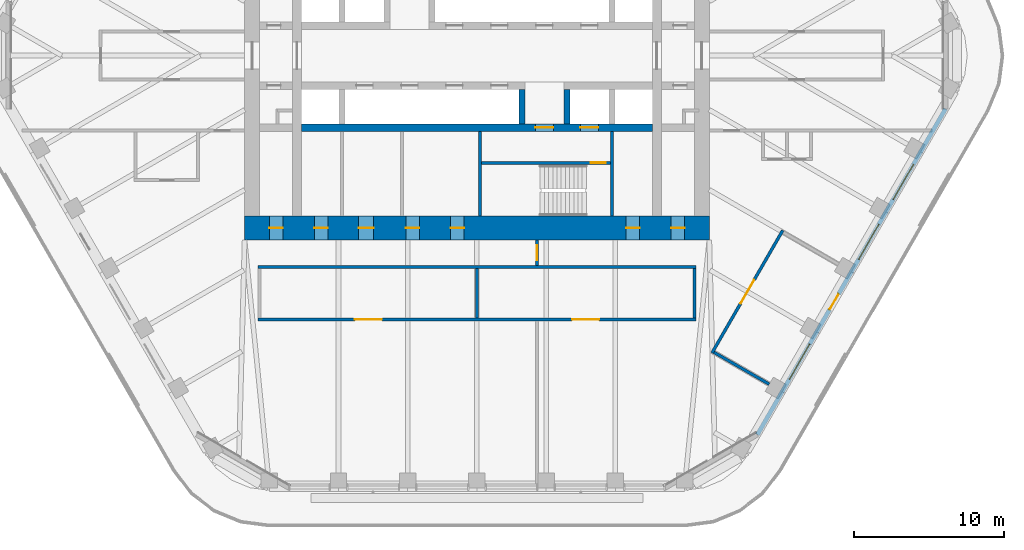
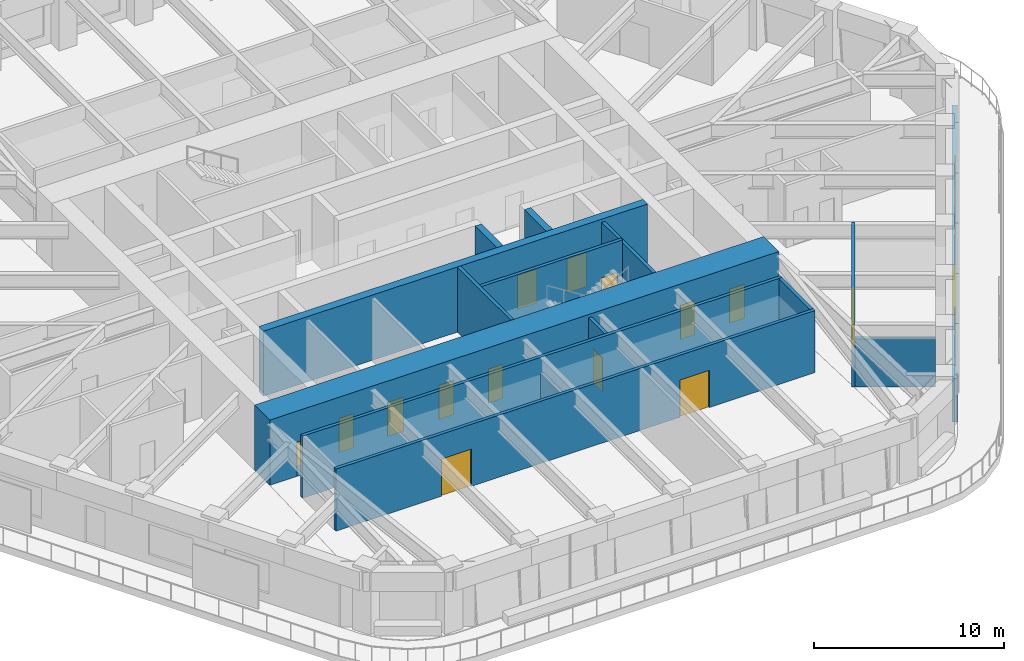
# One storey, part 15 of 20: 15 doors, 15 walls, 3 windows, 18 openings.
"""IFC4 building model written with IfcOpenShell, lengths in metres."""

from ifc_helpers import new_model, si_unit, direction, frame, frame_2d, origin, place, context, subcontext, project, spatial, rectangle, extrude, material, layer, layer_set, type_object, element, fill, save


model = new_model("IFC4")

# Units and contexts
model_context = context("Model", 3, precision=1e-05, world=origin(), true_north=direction((0.0, 1.0)))
body_context = subcontext(model_context, "Body", "Model", "MODEL_VIEW")
ifc_project = project(units=[si_unit("LENGTHUNIT", "METRE"), si_unit("AREAUNIT", "SQUARE_METRE"), si_unit("VOLUMEUNIT", "CUBIC_METRE"), si_unit("PLANEANGLEUNIT", "RADIAN"), si_unit("MASSUNIT", "GRAM", prefix="KILO")], contexts=[model_context])

# Site, building, storey
site_placement = place(None, origin())
site = spatial("IfcSite", under=ifc_project, at=site_placement, CompositionType="ELEMENT")
building_placement = place(site_placement, origin())
building = spatial("IfcBuilding", under=site, at=building_placement, Name="Tarfa Lantern Tower", CompositionType="ELEMENT")
storey_placement = place(building_placement, frame((0.0, 0.0, 286.89990234375)))
storey = spatial("IfcBuildingStorey", under=building, at=storey_placement, Name="L65", CompositionType="ELEMENT", Elevation=286.89990234375)

# Wall, openings, door, windows
ifc_material_1 = material(Name="Limestone cladding on blockwork", Category="masonry")
ifc_layer_1 = layer(ifc_material_1, 0.300048828125)
ifc_layer_set_1 = layer_set([ifc_layer_1], Name="EW1 STONE-CLAD WALL 300")
wall_type_1 = type_object("IfcWallType", Name="EW1 STONE-CLAD WALL 300", PredefinedType="SOLIDWALL", material=ifc_layer_set_1)
wall_1_placement = place(storey_placement, frame((18.70654296875, -25.299072265625, 0.0), z_axis=(0.0, 0.0, 1.0), x_axis=(0.500000442367, 0.866025148383, 0.0)))
wall_1 = element("IfcWall", 1, at=wall_1_placement, inside=storey, type_object=wall_type_1, Name="Stone wall SE", PredefinedType="SOLIDWALL", context=body_context, shape_type="SweptSolid", body=[
    extrude(rectangle(XDim=25.11279296875, YDim=0.300048828125, at=frame_2d((12.556396484375, 0.0))), origin(), (0.0, 0.0, 1.0), 2.800048828125),
])
opening_1_placement = place(wall_1_placement, frame((4.2783203125, 0.0, 0.60009765625)))
opening_1 = element("IfcOpeningElement", 2, at=opening_1_placement, cuts=wall_1, Name="Opening W14", PredefinedType="OPENING", context=body_context, shape_type="SweptSolid", body=[
    extrude(rectangle(XDim=2.699951171875, YDim=1.949951171875, at=frame_2d((1.35009765625, 0.97509765625))), frame((0.0, 0.159912109375, 0.0), z_axis=(0.0, -1.0, 0.0), x_axis=(1.0, 0.0, 0.0)), (0.0, 0.0, 1.0), 0.320068359375),
])
opening_2_placement = place(wall_1_placement, frame((9.64697265625, 0.0, 0.0)))
opening_2 = element("IfcOpeningElement", 3, at=opening_2_placement, cuts=wall_1, Name="Opening D47", PredefinedType="OPENING", context=body_context, shape_type="SweptSolid", body=[
    extrude(rectangle(XDim=1.199951171875, YDim=2.39990234375, at=frame_2d((0.60009765625, 1.199951171875))), frame((0.0, 0.159912109375, 0.0), z_axis=(0.0, -1.0, 0.0), x_axis=(1.0, 0.0, 0.0)), (0.0, 0.0, 1.0), 0.320068359375),
])
opening_3_placement = place(wall_1_placement, frame((13.515869140625, 0.0, 0.60009765625)))
opening_3 = element("IfcOpeningElement", 4, at=opening_3_placement, cuts=wall_1, Name="Opening W14", PredefinedType="OPENING", context=body_context, shape_type="SweptSolid", body=[
    extrude(rectangle(XDim=2.699951171875, YDim=1.949951171875, at=frame_2d((1.35009765625, 0.97509765625))), frame((0.0, 0.159912109375, 0.0), z_axis=(0.0, -1.0, 0.0), x_axis=(1.0, 0.0, 0.0)), (0.0, 0.0, 1.0), 0.320068359375),
])
opening_4_placement = place(wall_1_placement, frame((18.134521484375, 0.0, 0.60009765625)))
opening_4 = element("IfcOpeningElement", 5, at=opening_4_placement, cuts=wall_1, Name="Opening W14", PredefinedType="OPENING", context=body_context, shape_type="SweptSolid", body=[
    extrude(rectangle(XDim=2.699951171875, YDim=1.949951171875, at=frame_2d((1.35009765625, 0.97509765625))), frame((0.0, 0.159912109375, 0.0), z_axis=(0.0, -1.0, 0.0), x_axis=(1.0, 0.0, 0.0)), (0.0, 0.0, 1.0), 0.320068359375),
])
ifc_material_2 = material(Name="Aluminium framed glazed door", Category="aluminium")
door_type_1 = type_object("IfcDoorType", Name="BE3 BALCONY DOOR 1200x2400", OperationType="SINGLE_SWING_RIGHT", PredefinedType="DOOR", material=ifc_material_2)
door_1_placement = place(opening_2_placement, origin())
door_1 = element("IfcDoor", 6, at=door_1_placement, inside=storey, type_object=door_type_1, Name="Balcony door SE", OperationType="SINGLE_SWING_RIGHT", OverallHeight=2.39990234375, OverallWidth=1.199951171875, PredefinedType="DOOR", context=body_context, shape_type="SweptSolid", body=[
    extrude(rectangle(XDim=1.199951171875, YDim=2.39990234375, at=frame_2d((0.60009765625, 1.199951171875))), frame((0.0, 0.02490234375, 0.0), z_axis=(0.0, -1.0, 0.0), x_axis=(1.0, 0.0, 0.0)), (0.0, 0.0, 1.0), 0.050048828125),
])
fill(opening_2, door_1)
ifc_material_3 = material(Name="Aluminium frame, double glazed", Category="aluminium")
window_type = type_object("IfcWindowType", Name="W14 FULL-HEIGHT GLAZING 2700x1950", PartitioningType="SINGLE_PANEL", PredefinedType="WINDOW", material=ifc_material_3)
window_1_placement = place(opening_1_placement, origin())
window_1 = element("IfcWindow", 7, at=window_1_placement, inside=storey, type_object=window_type, Name="Window SE 2", OverallHeight=1.949951171875, OverallWidth=2.699951171875, PartitioningType="SINGLE_PANEL", PredefinedType="WINDOW", context=body_context, shape_type="SweptSolid", body=[
    extrude(rectangle(XDim=2.699951171875, YDim=1.949951171875, at=frame_2d((1.35009765625, 0.97509765625))), frame((0.0, 0.030029296875, 0.0), z_axis=(0.0, -1.0, 0.0), x_axis=(1.0, 0.0, 0.0)), (0.0, 0.0, 1.0), 0.06005859375),
])
fill(opening_1, window_1)
window_2_placement = place(opening_3_placement, origin())
window_2 = element("IfcWindow", 8, at=window_2_placement, inside=storey, type_object=window_type, Name="Window SE 4", OverallHeight=1.949951171875, OverallWidth=2.699951171875, PartitioningType="SINGLE_PANEL", PredefinedType="WINDOW", context=body_context, shape_type="SweptSolid", body=[
    extrude(rectangle(XDim=2.699951171875, YDim=1.949951171875, at=frame_2d((1.35009765625, 0.97509765625))), frame((0.0, 0.030029296875, 0.0), z_axis=(0.0, -1.0, 0.0), x_axis=(1.0, 0.0, 0.0)), (0.0, 0.0, 1.0), 0.06005859375),
])
fill(opening_3, window_2)
window_3_placement = place(opening_4_placement, origin())
window_3 = element("IfcWindow", 9, at=window_3_placement, inside=storey, type_object=window_type, Name="Window SE 5", OverallHeight=1.949951171875, OverallWidth=2.699951171875, PartitioningType="SINGLE_PANEL", PredefinedType="WINDOW", context=body_context, shape_type="SweptSolid", body=[
    extrude(rectangle(XDim=2.699951171875, YDim=1.949951171875, at=frame_2d((1.35009765625, 0.97509765625))), frame((0.0, 0.030029296875, 0.0), z_axis=(0.0, -1.0, 0.0), x_axis=(1.0, 0.0, 0.0)), (0.0, 0.0, 1.0), 0.06005859375),
])
fill(opening_4, window_3)

# Walls
ifc_material_4 = material(Name="Concrete blockwork", Category="masonry")
ifc_layer_2 = layer(ifc_material_4, 0.199951171875)
ifc_layer_set_2 = layer_set([ifc_layer_2], Name="IW1 BLOCKWORK PARTITION 200 EI 120")
wall_type_2 = type_object("IfcWallType", Name="IW1 BLOCKWORK PARTITION 200 EI 120", PredefinedType="PARTITIONING", material=ifc_layer_set_2)
wall_2_placement = place(storey_placement, frame((9.0, -5.050048828125, 0.0), z_axis=(0.0, 0.0, 1.0), x_axis=(0.0, -1.0, 0.0)))
element("IfcWall", 10, at=wall_2_placement, inside=storey, type_object=wall_type_2, Name="Core partition", PredefinedType="PARTITIONING", context=body_context, shape_type="SweptSolid", body=[
    extrude(rectangle(XDim=5.64990234375, YDim=0.199951171875, at=frame_2d((2.824951171875, 0.0))), origin(), (0.0, 0.0, 1.0), 4.0),
])
ifc_material_5 = material(Name="Gypsum board on steel studs", Category="steel")
ifc_layer_3 = layer(ifc_material_5, 0.2099609375)
ifc_layer_set_3 = layer_set([ifc_layer_3], Name="IW2 ACOUSTIC PARTITION 200")
wall_type_3 = type_object("IfcWallType", Name="IW2 ACOUSTIC PARTITION 200", PredefinedType="PARTITIONING", material=ifc_layer_set_3)
wall_3_placement = place(storey_placement, frame((14.60009765625, -14.10009765625, 0.0), z_axis=(0.0, 0.0, 1.0), x_axis=(-1.0, 0.0, 0.0)))
element("IfcWall", 11, at=wall_3_placement, inside=storey, type_object=wall_type_3, Name="Partition", PredefinedType="PARTITIONING", context=body_context, shape_type="SweptSolid", body=[
    extrude(rectangle(XDim=29.2001953125, YDim=0.199951171875, at=frame_2d((14.60009765625, 0.0))), origin(), (0.0, 0.0, 1.0), 4.0),
])

# Wall, openings, doors
wall_4_placement = place(storey_placement, frame((14.60009765625, -17.60009765625, 0.0), z_axis=(0.0, 0.0, 1.0), x_axis=(-1.0, 0.0, 0.0)))
wall_4 = element("IfcWall", 12, at=wall_4_placement, inside=storey, type_object=wall_type_3, Name="Partition", PredefinedType="PARTITIONING", context=body_context, shape_type="SweptSolid", body=[
    extrude(rectangle(XDim=29.2001953125, YDim=0.199951171875, at=frame_2d((14.60009765625, 0.0))), origin(), (0.0, 0.0, 1.0), 4.0),
])
opening_5_placement = place(wall_4_placement, frame((6.449951171875, 0.0, 0.0)))
opening_5 = element("IfcOpeningElement", 13, at=opening_5_placement, cuts=wall_4, Name="Opening D32", PredefinedType="OPENING", context=body_context, shape_type="SweptSolid", body=[
    extrude(rectangle(XDim=1.800048828125, YDim=2.39990234375, at=frame_2d((0.89990234375, 1.199951171875))), frame((0.0, 0.10986328125, 0.0), z_axis=(0.0, -1.0, 0.0), x_axis=(1.0, 0.0, 0.0)), (0.0, 0.0, 1.0), 0.219970703125),
])
opening_6_placement = place(wall_4_placement, frame((20.949951171875, 0.0, 0.0)))
opening_6 = element("IfcOpeningElement", 14, at=opening_6_placement, cuts=wall_4, Name="Opening D33", PredefinedType="OPENING", context=body_context, shape_type="SweptSolid", body=[
    extrude(rectangle(XDim=1.800048828125, YDim=2.39990234375, at=frame_2d((0.89990234375, 1.199951171875))), frame((0.0, 0.10986328125, 0.0), z_axis=(0.0, -1.0, 0.0), x_axis=(1.0, 0.0, 0.0)), (0.0, 0.0, 1.0), 0.219970703125),
])
ifc_material_6 = material(Name="Timber door", Category="wood")
door_type_2 = type_object("IfcDoorType", Name="DR2 ROOM DOOR 1800x2400", OperationType="DOUBLE_DOOR_SINGLE_SWING", PredefinedType="DOOR", material=ifc_material_6)
door_2_placement = place(opening_5_placement, frame((1.800048828125, 0.0, 0.0), z_axis=(0.0, 0.0, 1.0), x_axis=(-1.0, 0.0, 0.0)))
door_2 = element("IfcDoor", 15, at=door_2_placement, inside=storey, type_object=door_type_2, Name="Meeting room door", OperationType="DOUBLE_DOOR_SINGLE_SWING", OverallHeight=2.39990234375, OverallWidth=1.800048828125, PredefinedType="DOOR", context=body_context, shape_type="SweptSolid", body=[
    extrude(rectangle(XDim=1.800048828125, YDim=2.39990234375, at=frame_2d((0.89990234375, 1.199951171875))), frame((0.0, 0.02490234375, 0.0), z_axis=(0.0, -1.0, 0.0), x_axis=(1.0, 0.0, 0.0)), (0.0, 0.0, 1.0), 0.050048828125),
])
fill(opening_5, door_2)
door_3_placement = place(opening_6_placement, frame((1.800048828125, 0.0, 0.0), z_axis=(0.0, 0.0, 1.0), x_axis=(-1.0, 0.0, 0.0)))
door_3 = element("IfcDoor", 16, at=door_3_placement, inside=storey, type_object=door_type_2, Name="Meeting room door", OperationType="DOUBLE_DOOR_SINGLE_SWING", OverallHeight=2.39990234375, OverallWidth=1.800048828125, PredefinedType="DOOR", context=body_context, shape_type="SweptSolid", body=[
    extrude(rectangle(XDim=1.800048828125, YDim=2.39990234375, at=frame_2d((0.89990234375, 1.199951171875))), frame((0.0, 0.02490234375, 0.0), z_axis=(0.0, -1.0, 0.0), x_axis=(1.0, 0.0, 0.0)), (0.0, 0.0, 1.0), 0.050048828125),
])
fill(opening_6, door_3)

# Walls
wall_5_placement = place(storey_placement, frame((14.5, -14.199951171875, 0.0), z_axis=(0.0, 0.0, 1.0), x_axis=(0.0, -1.0, 0.0)))
element("IfcWall", 17, at=wall_5_placement, inside=storey, type_object=wall_type_3, Name="Partition", PredefinedType="PARTITIONING", context=body_context, shape_type="SweptSolid", body=[
    extrude(rectangle(XDim=3.300048828125, YDim=0.199951171875, at=frame_2d((1.64990234375, 0.0))), origin(), (0.0, 0.0, 1.0), 4.0),
])
wall_6_placement = place(storey_placement, frame((0.0, -14.199951171875, 0.0), z_axis=(0.0, 0.0, 1.0), x_axis=(0.0, -1.0, 0.0)))
element("IfcWall", 18, at=wall_6_placement, inside=storey, type_object=wall_type_3, Name="Partition", PredefinedType="PARTITIONING", context=body_context, shape_type="SweptSolid", body=[
    extrude(rectangle(XDim=3.300048828125, YDim=0.199951171875, at=frame_2d((1.64990234375, 0.0))), origin(), (0.0, 0.0, 1.0), 2.991943359375),
])

# Wall, opening, door
wall_7_placement = place(storey_placement, frame((15.682861328125, -19.836669921875, 0.0), z_axis=(0.0, 0.0, 1.0), x_axis=(0.499989672313, 0.866031366395, 0.0)))
wall_7 = element("IfcWall", 19, at=wall_7_placement, inside=storey, type_object=wall_type_3, Name="Partition", PredefinedType="PARTITIONING", context=body_context, shape_type="SweptSolid", body=[
    extrude(rectangle(XDim=9.437744140625, YDim=0.199951171875, at=frame_2d((4.71875, 0.0))), origin(), (0.0, 0.0, 1.0), 4.0),
])
opening_7_placement = place(wall_7_placement, frame((3.81884765625, 0.0, 0.0)))
opening_7 = element("IfcOpeningElement", 20, at=opening_7_placement, cuts=wall_7, Name="Opening D30", PredefinedType="OPENING", context=body_context, shape_type="SweptSolid", body=[
    extrude(rectangle(XDim=1.800048828125, YDim=2.39990234375, at=frame_2d((0.89990234375, 1.199951171875))), frame((0.0, 0.10986328125, 0.0), z_axis=(0.0, -1.0, 0.0), x_axis=(1.0, 0.0, 0.0)), (0.0, 0.0, 1.0), 0.219970703125),
])
door_4_placement = place(opening_7_placement, frame((1.800048828125, 0.0, 0.0), z_axis=(0.0, 0.0, 1.0), x_axis=(-1.0, 0.0, 0.0)))
door_4 = element("IfcDoor", 21, at=door_4_placement, inside=storey, type_object=door_type_2, Name="Majlis door", OperationType="DOUBLE_DOOR_SINGLE_SWING", OverallHeight=2.39990234375, OverallWidth=1.800048828125, PredefinedType="DOOR", context=body_context, shape_type="SweptSolid", body=[
    extrude(rectangle(XDim=1.800048828125, YDim=2.39990234375, at=frame_2d((0.89990234375, 1.199951171875))), frame((0.0, 0.02490234375, 0.0), z_axis=(0.0, -1.0, 0.0), x_axis=(1.0, 0.0, 0.0)), (0.0, 0.0, 1.0), 0.050048828125),
])
fill(opening_7, door_4)

# Wall
wall_8_placement = place(storey_placement, frame((15.8193359375, -19.800048828125, 0.0), z_axis=(0.0, 0.0, 1.0), x_axis=(0.866028703517, -0.499994284652, 0.0)))
element("IfcWall", 22, at=wall_8_placement, inside=storey, type_object=wall_type_3, Name="Partition", PredefinedType="PARTITIONING", context=body_context, shape_type="SweptSolid", body=[
    extrude(rectangle(XDim=4.25, YDim=0.199951171875, at=frame_2d((2.125, 0.0))), origin(), (0.0, 0.0, 1.0), 3.081787109375),
])

# Wall, opening, door
wall_9_placement = place(storey_placement, frame((4.0, -12.300048828125, 0.0), z_axis=(0.0, 0.0, 1.0), x_axis=(0.0, -1.0, 0.0)))
wall_9 = element("IfcWall", 23, at=wall_9_placement, inside=storey, type_object=wall_type_3, Name="Partition", PredefinedType="PARTITIONING", context=body_context, shape_type="SweptSolid", body=[
    extrude(rectangle(XDim=1.699951171875, YDim=0.199951171875, at=frame_2d((0.85009765625, 0.0))), origin(), (0.0, 0.0, 1.0), 4.0),
])
opening_8_placement = place(wall_9_placement, frame((0.35009765625, 0.0, 0.0)))
opening_8 = element("IfcOpeningElement", 24, at=opening_8_placement, cuts=wall_9, Name="Opening D44", PredefinedType="OPENING", context=body_context, shape_type="SweptSolid", body=[
    extrude(rectangle(XDim=1.0, YDim=2.199951171875, at=frame_2d((0.5, 1.10009765625))), frame((0.0, 0.10986328125, 0.0), z_axis=(0.0, -1.0, 0.0), x_axis=(1.0, 0.0, 0.0)), (0.0, 0.0, 1.0), 0.219970703125),
])
door_type_3 = type_object("IfcDoorType", Name="DR1 ROOM DOOR 1000x2200", OperationType="SINGLE_SWING_LEFT", PredefinedType="DOOR", material=ifc_material_6)
door_5_placement = place(opening_8_placement, origin())
door_5 = element("IfcDoor", 25, at=door_5_placement, inside=storey, type_object=door_type_3, Name="Zone door", OperationType="SINGLE_SWING_LEFT", OverallHeight=2.199951171875, OverallWidth=1.0, PredefinedType="DOOR", context=body_context, shape_type="SweptSolid", body=[
    extrude(rectangle(XDim=1.0, YDim=2.199951171875, at=frame_2d((0.5, 1.10009765625))), frame((0.0, 0.02490234375, 0.0), z_axis=(0.0, -1.0, 0.0), x_axis=(1.0, 0.0, 0.0)), (0.0, 0.0, 1.0), 0.050048828125),
])
fill(opening_8, door_5)

# Wall
ifc_material_7 = material(Name="Concrete C80/95", Category="concrete")
ifc_layer_4 = layer(ifc_material_7, 0.199951171875)
ifc_layer_set_4 = layer_set([ifc_layer_4], Name="SW12 CORE WALL 200")
wall_type_4 = type_object("IfcWallType", Name="SW12 CORE WALL 200", PredefinedType="SHEAR", material=ifc_layer_set_4)
wall_10_placement = place(storey_placement, frame((0.199951171875, -5.050048828125, 0.0), z_axis=(0.0, 0.0, 1.0), x_axis=(0.0, -1.0, 0.0)))
element("IfcWall", 26, at=wall_10_placement, inside=storey, type_object=wall_type_4, Name="Core wall stair shaft S", PredefinedType="SHEAR", context=body_context, shape_type="SweptSolid", body=[
    extrude(rectangle(XDim=5.64990234375, YDim=0.199951171875, at=frame_2d((2.824951171875, 0.0))), origin(), (0.0, 0.0, 1.0), 4.2001953125),
])

# Wall, opening, door
wall_11_placement = place(storey_placement, frame((8.89990234375, -7.14990234375, 0.0), z_axis=(0.0, 0.0, 1.0), x_axis=(-1.0, 0.0, 0.0)))
wall_11 = element("IfcWall", 27, at=wall_11_placement, inside=storey, type_object=wall_type_4, Name="Core wall stair partition S", PredefinedType="SHEAR", context=body_context, shape_type="SweptSolid", body=[
    extrude(rectangle(XDim=8.599853515625, YDim=0.199951171875, at=frame_2d((4.2998046875, 0.0))), origin(), (0.0, 0.0, 1.0), 4.2001953125),
])
opening_9_placement = place(wall_11_placement, frame((0.300048828125, 0.0, 0.0)))
opening_9 = element("IfcOpeningElement", 28, at=opening_9_placement, cuts=wall_11, Name="Opening D24", PredefinedType="OPENING", context=body_context, shape_type="SweptSolid", body=[
    extrude(rectangle(XDim=1.0, YDim=2.199951171875, at=frame_2d((0.5, 1.10009765625))), frame((0.0, 0.10986328125, 0.0), z_axis=(0.0, -1.0, 0.0), x_axis=(1.0, 0.0, 0.0)), (0.0, 0.0, 1.0), 0.219970703125),
])
ifc_material_8 = material(Name="Steel fire door", Category="steel")
door_type_4 = type_object("IfcDoorType", Name="DF2 STAIR DOOR 1000x2200", OperationType="SINGLE_SWING_LEFT", PredefinedType="DOOR", material=ifc_material_8)
door_6_placement = place(opening_9_placement, origin())
door_6 = element("IfcDoor", 29, at=door_6_placement, inside=storey, type_object=door_type_4, Name="Stair door", OperationType="SINGLE_SWING_RIGHT", OverallHeight=2.199951171875, OverallWidth=1.0, PredefinedType="DOOR", context=body_context, shape_type="SweptSolid", body=[
    extrude(rectangle(XDim=1.0, YDim=2.199951171875, at=frame_2d((0.5, 1.10009765625))), frame((0.0, 0.02490234375, 0.0), z_axis=(0.0, -1.0, 0.0), x_axis=(1.0, 0.0, 0.0)), (0.0, 0.0, 1.0), 0.050048828125),
])
fill(opening_9, door_6)

# Wall, openings, doors
ifc_layer_5 = layer(ifc_material_7, 0.5)
ifc_layer_set_5 = layer_set([ifc_layer_5], Name="SW5 CORE WALL 500")
wall_type_5 = type_object("IfcWallType", Name="SW5 CORE WALL 500", PredefinedType="SHEAR", material=ifc_layer_set_5)
wall_12_placement = place(storey_placement, frame((11.699951171875, -4.800048828125, 0.0), z_axis=(0.0, 0.0, 1.0), x_axis=(-1.0, 0.0, 0.0)))
wall_12 = element("IfcWall", 30, at=wall_12_placement, inside=storey, type_object=wall_type_5, Name="Core wall rear S", PredefinedType="SHEAR", context=body_context, shape_type="SweptSolid", body=[
    extrude(rectangle(XDim=23.39990234375, YDim=0.5, at=frame_2d((11.699951171875, 0.0))), origin(), (0.0, 0.0, 1.0), 4.2001953125),
])
opening_10_placement = place(wall_12_placement, frame((6.60009765625, 0.0, 0.0)))
opening_10 = element("IfcOpeningElement", 31, at=opening_10_placement, cuts=wall_12, Name="Opening D10", PredefinedType="OPENING", context=body_context, shape_type="SweptSolid", body=[
    extrude(rectangle(XDim=1.199951171875, YDim=2.199951171875, at=frame_2d((0.60009765625, 1.10009765625))), frame((0.0, 0.260009765625, 0.0), z_axis=(0.0, -1.0, 0.0), x_axis=(1.0, 0.0, 0.0)), (0.0, 0.0, 1.0), 0.52001953125),
])
opening_11_placement = place(wall_12_placement, frame((3.60009765625, 0.0, 0.0)))
opening_11 = element("IfcOpeningElement", 32, at=opening_11_placement, cuts=wall_12, Name="Opening LD02", PredefinedType="OPENING", context=body_context, shape_type="SweptSolid", body=[
    extrude(rectangle(XDim=1.199951171875, YDim=2.199951171875, at=frame_2d((0.60009765625, 1.10009765625))), frame((0.0, 0.260009765625, 0.0), z_axis=(0.0, -1.0, 0.0), x_axis=(1.0, 0.0, 0.0)), (0.0, 0.0, 1.0), 0.52001953125),
])
door_type_5 = type_object("IfcDoorType", Name="DF1 FIREFIGHTING LOBBY DOOR 1200x2200", OperationType="SINGLE_SWING_LEFT", PredefinedType="DOOR", material=ifc_material_8)
door_7_placement = place(opening_10_placement, origin())
door_7 = element("IfcDoor", 33, at=door_7_placement, inside=storey, type_object=door_type_5, Name="Firefighting lobby door", OperationType="SINGLE_SWING_LEFT", OverallHeight=2.199951171875, OverallWidth=1.199951171875, PredefinedType="DOOR", context=body_context, shape_type="SweptSolid", body=[
    extrude(rectangle(XDim=1.199951171875, YDim=2.199951171875, at=frame_2d((0.60009765625, 1.10009765625))), frame((0.0, 0.02490234375, 0.0), z_axis=(0.0, -1.0, 0.0), x_axis=(1.0, 0.0, 0.0)), (0.0, 0.0, 1.0), 0.050048828125),
])
fill(opening_10, door_7)
ifc_material_9 = material(Name="Stainless steel lift door", Category="steel")
door_type_6 = type_object("IfcDoorType", Name="LD1 LIFT LANDING DOOR 1200x2200", OperationType="SLIDING_TO_LEFT", PredefinedType="DOOR", material=ifc_material_9)
door_8_placement = place(opening_11_placement, origin())
door_8 = element("IfcDoor", 34, at=door_8_placement, inside=storey, type_object=door_type_6, Name="Landing door FL2", OperationType="SLIDING_TO_LEFT", OverallHeight=2.199951171875, OverallWidth=1.199951171875, PredefinedType="DOOR", context=body_context, shape_type="SweptSolid", body=[
    extrude(rectangle(XDim=1.199951171875, YDim=2.199951171875, at=frame_2d((0.60009765625, 1.10009765625))), frame((0.0, 0.02490234375, 0.0), z_axis=(0.0, -1.0, 0.0), x_axis=(1.0, 0.0, 0.0)), (0.0, 0.0, 1.0), 0.050048828125),
])
fill(opening_11, door_8)

# Walls
ifc_layer_6 = layer(ifc_material_7, 0.39990234375)
ifc_layer_set_6 = layer_set([ifc_layer_6], Name="SW6 CORE WALL 400")
wall_type_6 = type_object("IfcWallType", Name="SW6 CORE WALL 400", PredefinedType="SHEAR", material=ifc_layer_set_6)
for number, where, z_axis, x_axis, name in (
    (35, (6.0, -2.25, 0.0), (0.0, 0.0, 1.0), (0.0, -1.0, 0.0), "Core wall divider S"),
    (36, (3.0, -2.25, 0.0), (0.0, 0.0, 1.0), (0.0, -1.0, 0.0), "Core wall divider S"),
):
    element("IfcWall", number, at=place(storey_placement, frame(where, z_axis=z_axis, x_axis=x_axis)), inside=storey, type_object=wall_type_6, Name=name, PredefinedType="SHEAR", context=body_context, shape_type="SweptSolid", body=[
        extrude(rectangle(XDim=2.300048828125, YDim=0.39990234375, at=frame_2d((1.14990234375, 0.0))), origin(), (0.0, 0.0, 1.0), 4.2001953125),
    ])

# Wall, openings, doors
ifc_layer_7 = layer(ifc_material_7, 1.60009765625)
ifc_layer_set_7 = layer_set([ifc_layer_7], Name="SW7 CORE WALL 1600")
wall_type_7 = type_object("IfcWallType", Name="SW7 CORE WALL 1600", PredefinedType="SHEAR", material=ifc_layer_set_7)
wall_13_placement = place(storey_placement, frame((15.5, -11.5, 0.0), z_axis=(0.0, 0.0, 1.0), x_axis=(-1.0, 0.0, 0.0)))
wall_13 = element("IfcWall", 37, at=wall_13_placement, inside=storey, type_object=wall_type_7, Name="Core wall S", PredefinedType="SHEAR", context=body_context, shape_type="SweptSolid", body=[
    extrude(rectangle(XDim=31.0, YDim=1.60009765625, at=frame_2d((15.5, 0.0))), origin(), (0.0, 0.0, 1.0), 4.2001953125),
])
opening_12_placement = place(wall_13_placement, frame((16.35009765625, 0.0, 0.0)))
opening_12 = element("IfcOpeningElement", 38, at=opening_12_placement, cuts=wall_13, Name="Opening D18", PredefinedType="OPENING", context=body_context, shape_type="SweptSolid", body=[
    extrude(rectangle(XDim=0.89990234375, YDim=2.199951171875, at=frame_2d((0.449951171875, 1.10009765625))), frame((0.0, 0.81005859375, 0.0), z_axis=(0.0, -1.0, 0.0), x_axis=(1.0, 0.0, 0.0)), (0.0, 0.0, 1.0), 1.6201171875),
])
opening_13_placement = place(wall_13_placement, frame((19.35009765625, 0.0, 0.0)))
opening_13 = element("IfcOpeningElement", 39, at=opening_13_placement, cuts=wall_13, Name="Opening D20", PredefinedType="OPENING", context=body_context, shape_type="SweptSolid", body=[
    extrude(rectangle(XDim=0.89990234375, YDim=2.199951171875, at=frame_2d((0.449951171875, 1.10009765625))), frame((0.0, 0.81005859375, 0.0), z_axis=(0.0, -1.0, 0.0), x_axis=(1.0, 0.0, 0.0)), (0.0, 0.0, 1.0), 1.6201171875),
])
opening_14_placement = place(wall_13_placement, frame((22.39990234375, 0.0, 0.0)))
opening_14 = element("IfcOpeningElement", 40, at=opening_14_placement, cuts=wall_13, Name="Opening D22", PredefinedType="OPENING", context=body_context, shape_type="SweptSolid", body=[
    extrude(rectangle(XDim=1.0, YDim=2.199951171875, at=frame_2d((0.5, 1.10009765625))), frame((0.0, 0.81005859375, 0.0), z_axis=(0.0, -1.0, 0.0), x_axis=(1.0, 0.0, 0.0)), (0.0, 0.0, 1.0), 1.6201171875),
])
opening_15_placement = place(wall_13_placement, frame((1.64990234375, 0.0, 0.0)))
opening_15 = element("IfcOpeningElement", 41, at=opening_15_placement, cuts=wall_13, Name="Opening D08", PredefinedType="OPENING", context=body_context, shape_type="SweptSolid", body=[
    extrude(rectangle(XDim=0.89990234375, YDim=2.199951171875, at=frame_2d((0.449951171875, 1.10009765625))), frame((0.0, 0.81005859375, 0.0), z_axis=(0.0, -1.0, 0.0), x_axis=(1.0, 0.0, 0.0)), (0.0, 0.0, 1.0), 1.6201171875),
])
opening_16_placement = place(wall_13_placement, frame((4.64990234375, 0.0, 0.0)))
opening_16 = element("IfcOpeningElement", 42, at=opening_16_placement, cuts=wall_13, Name="Opening D06", PredefinedType="OPENING", context=body_context, shape_type="SweptSolid", body=[
    extrude(rectangle(XDim=0.89990234375, YDim=2.199951171875, at=frame_2d((0.449951171875, 1.10009765625))), frame((0.0, 0.81005859375, 0.0), z_axis=(0.0, -1.0, 0.0), x_axis=(1.0, 0.0, 0.0)), (0.0, 0.0, 1.0), 1.6201171875),
])
opening_17_placement = place(wall_13_placement, frame((25.449951171875, 0.0, 0.0)))
opening_17 = element("IfcOpeningElement", 43, at=opening_17_placement, cuts=wall_13, Name="Opening D04", PredefinedType="OPENING", context=body_context, shape_type="SweptSolid", body=[
    extrude(rectangle(XDim=0.89990234375, YDim=2.199951171875, at=frame_2d((0.449951171875, 1.10009765625))), frame((0.0, 0.81005859375, 0.0), z_axis=(0.0, -1.0, 0.0), x_axis=(1.0, 0.0, 0.0)), (0.0, 0.0, 1.0), 1.6201171875),
])
opening_18_placement = place(wall_13_placement, frame((28.449951171875, 0.0, 0.0)))
opening_18 = element("IfcOpeningElement", 44, at=opening_18_placement, cuts=wall_13, Name="Opening D02", PredefinedType="OPENING", context=body_context, shape_type="SweptSolid", body=[
    extrude(rectangle(XDim=0.89990234375, YDim=2.199951171875, at=frame_2d((0.449951171875, 1.10009765625))), frame((0.0, 0.81005859375, 0.0), z_axis=(0.0, -1.0, 0.0), x_axis=(1.0, 0.0, 0.0)), (0.0, 0.0, 1.0), 1.6201171875),
])
door_type_7 = type_object("IfcDoorType", Name="DF3 CORE ROOM DOOR 900x2200", OperationType="SINGLE_SWING_LEFT", PredefinedType="DOOR", material=ifc_material_8)
door_9_placement = place(opening_12_placement, frame((0.89990234375, 0.0, 0.0), z_axis=(0.0, 0.0, 1.0), x_axis=(-1.0, 0.0, 0.0)))
door_9 = element("IfcDoor", 45, at=door_9_placement, inside=storey, type_object=door_type_7, Name="Core door", OperationType="SINGLE_SWING_LEFT", OverallHeight=2.199951171875, OverallWidth=0.89990234375, PredefinedType="DOOR", context=body_context, shape_type="SweptSolid", body=[
    extrude(rectangle(XDim=0.89990234375, YDim=2.199951171875, at=frame_2d((0.449951171875, 1.10009765625))), frame((0.0, 0.02490234375, 0.0), z_axis=(0.0, -1.0, 0.0), x_axis=(1.0, 0.0, 0.0)), (0.0, 0.0, 1.0), 0.050048828125),
])
fill(opening_12, door_9)
door_10_placement = place(opening_13_placement, frame((0.89990234375, 0.0, 0.0), z_axis=(0.0, 0.0, 1.0), x_axis=(-1.0, 0.0, 0.0)))
door_10 = element("IfcDoor", 46, at=door_10_placement, inside=storey, type_object=door_type_7, Name="Core door", OperationType="SINGLE_SWING_RIGHT", OverallHeight=2.199951171875, OverallWidth=0.89990234375, PredefinedType="DOOR", context=body_context, shape_type="SweptSolid", body=[
    extrude(rectangle(XDim=0.89990234375, YDim=2.199951171875, at=frame_2d((0.449951171875, 1.10009765625))), frame((0.0, 0.02490234375, 0.0), z_axis=(0.0, -1.0, 0.0), x_axis=(1.0, 0.0, 0.0)), (0.0, 0.0, 1.0), 0.050048828125),
])
fill(opening_13, door_10)
door_type_8 = type_object("IfcDoorType", Name="DF4 CORE ROOM DOOR 1000x2200", OperationType="SINGLE_SWING_LEFT", PredefinedType="DOOR", material=ifc_material_8)
door_11_placement = place(opening_14_placement, frame((1.0, 0.0, 0.0), z_axis=(0.0, 0.0, 1.0), x_axis=(-1.0, 0.0, 0.0)))
door_11 = element("IfcDoor", 47, at=door_11_placement, inside=storey, type_object=door_type_8, Name="Core door", OperationType="SINGLE_SWING_RIGHT", OverallHeight=2.199951171875, OverallWidth=1.0, PredefinedType="DOOR", context=body_context, shape_type="SweptSolid", body=[
    extrude(rectangle(XDim=1.0, YDim=2.199951171875, at=frame_2d((0.5, 1.10009765625))), frame((0.0, 0.02490234375, 0.0), z_axis=(0.0, -1.0, 0.0), x_axis=(1.0, 0.0, 0.0)), (0.0, 0.0, 1.0), 0.050048828125),
])
fill(opening_14, door_11)
door_type_9 = type_object("IfcDoorType", Name="DF5 RISER DOOR 900x2200", OperationType="SINGLE_SWING_LEFT", PredefinedType="DOOR", material=ifc_material_8)
door_12_placement = place(opening_15_placement, frame((0.89990234375, 0.0, 0.0), z_axis=(0.0, 0.0, 1.0), x_axis=(-1.0, 0.0, 0.0)))
door_12 = element("IfcDoor", 48, at=door_12_placement, inside=storey, type_object=door_type_9, Name="Riser door", OperationType="SINGLE_SWING_LEFT", OverallHeight=2.199951171875, OverallWidth=0.89990234375, PredefinedType="DOOR", context=body_context, shape_type="SweptSolid", body=[
    extrude(rectangle(XDim=0.89990234375, YDim=2.199951171875, at=frame_2d((0.449951171875, 1.10009765625))), frame((0.0, 0.02490234375, 0.0), z_axis=(0.0, -1.0, 0.0), x_axis=(1.0, 0.0, 0.0)), (0.0, 0.0, 1.0), 0.050048828125),
])
fill(opening_15, door_12)
door_13_placement = place(opening_16_placement, frame((0.89990234375, 0.0, 0.0), z_axis=(0.0, 0.0, 1.0), x_axis=(-1.0, 0.0, 0.0)))
door_13 = element("IfcDoor", 49, at=door_13_placement, inside=storey, type_object=door_type_9, Name="Riser door", OperationType="SINGLE_SWING_LEFT", OverallHeight=2.199951171875, OverallWidth=0.89990234375, PredefinedType="DOOR", context=body_context, shape_type="SweptSolid", body=[
    extrude(rectangle(XDim=0.89990234375, YDim=2.199951171875, at=frame_2d((0.449951171875, 1.10009765625))), frame((0.0, 0.02490234375, 0.0), z_axis=(0.0, -1.0, 0.0), x_axis=(1.0, 0.0, 0.0)), (0.0, 0.0, 1.0), 0.050048828125),
])
fill(opening_16, door_13)
door_14_placement = place(opening_17_placement, frame((0.89990234375, 0.0, 0.0), z_axis=(0.0, 0.0, 1.0), x_axis=(-1.0, 0.0, 0.0)))
door_14 = element("IfcDoor", 50, at=door_14_placement, inside=storey, type_object=door_type_9, Name="Riser door", OperationType="SINGLE_SWING_RIGHT", OverallHeight=2.199951171875, OverallWidth=0.89990234375, PredefinedType="DOOR", context=body_context, shape_type="SweptSolid", body=[
    extrude(rectangle(XDim=0.89990234375, YDim=2.199951171875, at=frame_2d((0.449951171875, 1.10009765625))), frame((0.0, 0.02490234375, 0.0), z_axis=(0.0, -1.0, 0.0), x_axis=(1.0, 0.0, 0.0)), (0.0, 0.0, 1.0), 0.050048828125),
])
fill(opening_17, door_14)
door_15_placement = place(opening_18_placement, frame((0.89990234375, 0.0, 0.0), z_axis=(0.0, 0.0, 1.0), x_axis=(-1.0, 0.0, 0.0)))
door_15 = element("IfcDoor", 51, at=door_15_placement, inside=storey, type_object=door_type_9, Name="Riser door", OperationType="SINGLE_SWING_RIGHT", OverallHeight=2.199951171875, OverallWidth=0.89990234375, PredefinedType="DOOR", context=body_context, shape_type="SweptSolid", body=[
    extrude(rectangle(XDim=0.89990234375, YDim=2.199951171875, at=frame_2d((0.449951171875, 1.10009765625))), frame((0.0, 0.02490234375, 0.0), z_axis=(0.0, -1.0, 0.0), x_axis=(1.0, 0.0, 0.0)), (0.0, 0.0, 1.0), 0.050048828125),
])
fill(opening_18, door_15)

save(model, "model.ifc")
